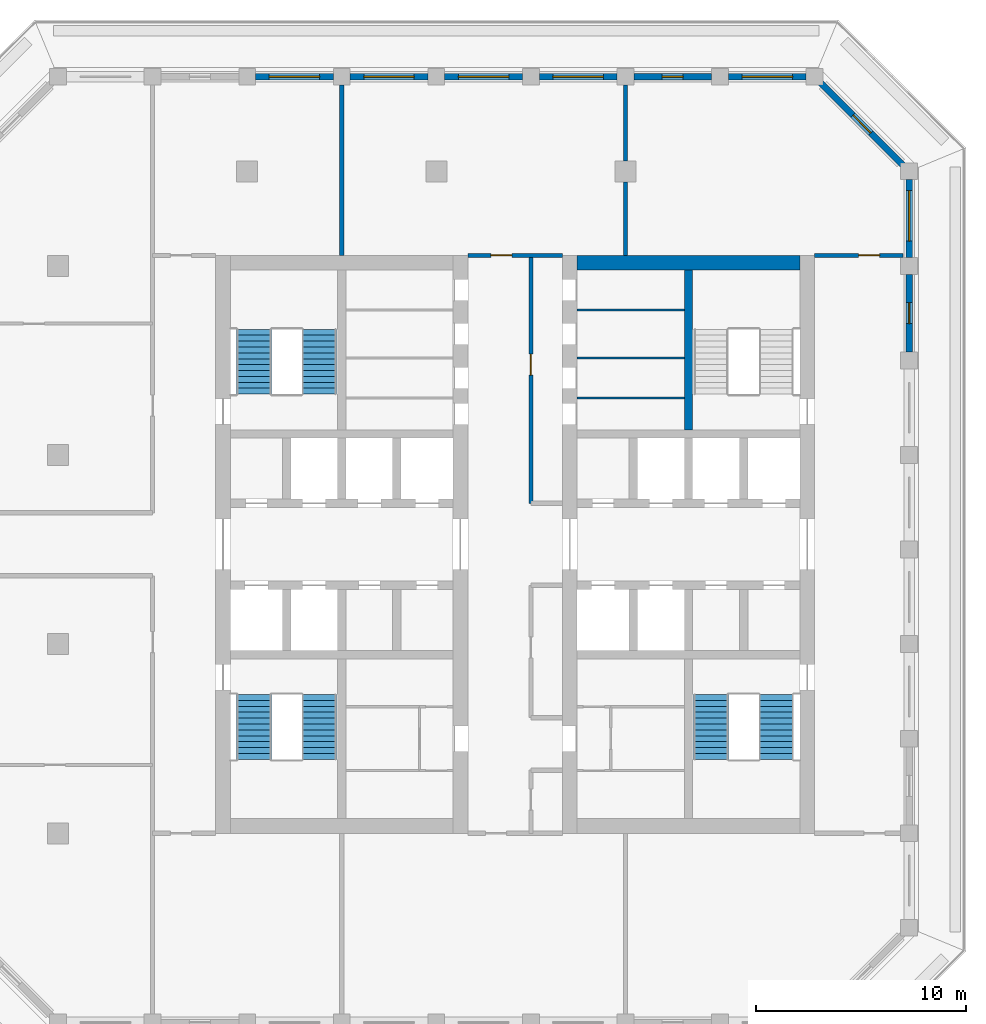
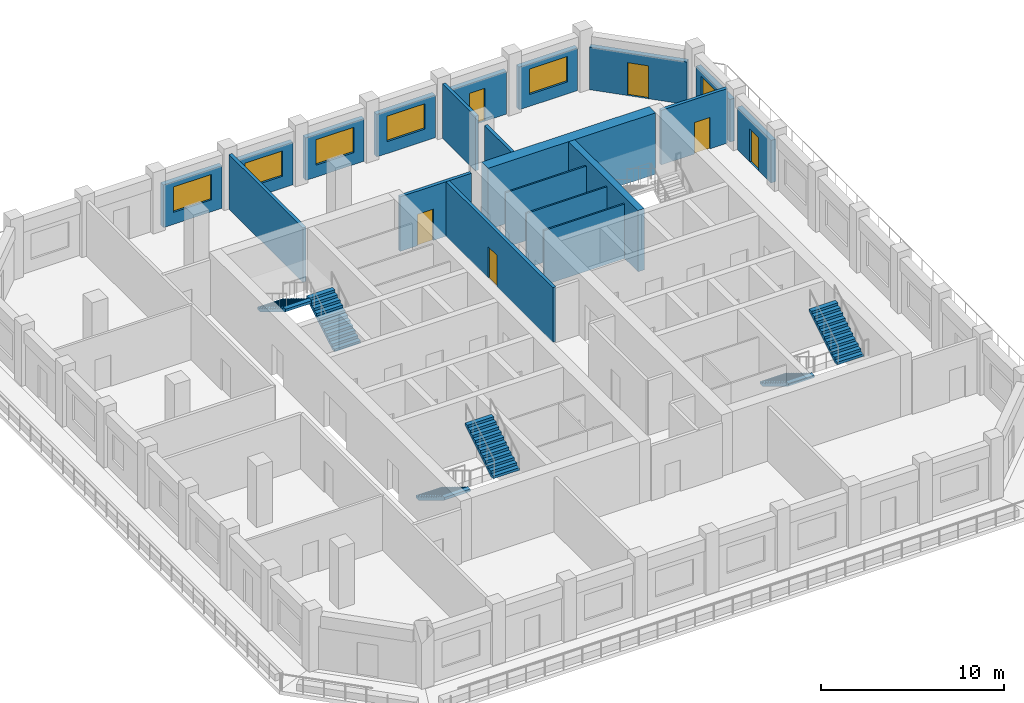
# One storey, part 6 of 14: 20 walls, 6 doors, 6 stair flights, 6 windows, 12 openings, 3 elements without a shape of their own.
"""IFC4 building model written with IfcOpenShell, lengths in metres."""

import ifcopenshell
import ifcopenshell.guid

model = None  # the IFC model being written
_history = None  # IfcOwnerHistory: only IFC2X3 demands one
_inside = {}  # id of a spatial element -> (the spatial element, [elements in it])
_under = {}  # id of a project, library or spatial element -> (it, [spatial elements below it])
_declared = {}  # id of a project -> (the project, [libraries it declares])
_typed = {}  # id of a type object -> (the type object, [elements of that type])
_made_of = {}  # id of a material, layer set ... -> (it, [elements and type objects made of it])


def new_model(schema):
    """Start an empty IFC model of exactly this schema.

    Asked for "IFC4X3", IfcOpenShell would pick the latest addendum, in which some entities
    have other attributes; the version numbers below select the first issue.
    IFC2X3 requires an IfcOwnerHistory on every rooted entity: one is made here for all.
    """
    global model, _history
    if schema == "IFC4X3":
        model = ifcopenshell.file(schema_version=(4, 3, 0, 0))
    else:
        model = ifcopenshell.file(schema=schema)
    _inside.clear()
    _under.clear()
    _declared.clear()
    _typed.clear()
    _made_of.clear()
    _history = None
    if model.schema == "IFC2X3":
        org = make("IfcOrganization", Name="unknown")
        user = make(
            "IfcPersonAndOrganization",
            ThePerson=make("IfcPerson", FamilyName="unknown"),
            TheOrganization=org,
        )
        app = make(
            "IfcApplication",
            ApplicationDeveloper=org,
            Version="unknown",
            ApplicationFullName="unknown",
            ApplicationIdentifier="unknown",
        )
        _history = make(
            "IfcOwnerHistory",
            OwningUser=user,
            OwningApplication=app,
            ChangeAction="ADDED",
            CreationDate=0,
        )
    return model


def make(cls, **values):
    """One entity of the class cls with the attributes given. An attribute that is None is left unset."""
    return model.create_entity(
        cls, **{name: value for name, value in values.items() if value is not None}
    )


def rooted(cls, **values):
    """An entity with a GlobalId (a new one), such as an element, a storey or a relation."""
    return make(cls, GlobalId=ifcopenshell.guid.new(), OwnerHistory=_history, **values)


def si_unit(unit_type, name, prefix=None):
    """IfcSIUnit, for example si_unit("LENGTHUNIT", "METRE", prefix="MILLI")."""
    return make("IfcSIUnit", UnitType=unit_type, Prefix=prefix, Name=name)


def assignment(units):
    """IfcUnitAssignment: the units of a project."""
    return None if units is None else make("IfcUnitAssignment", Units=units)


def point(xyz):
    """IfcCartesianPoint."""
    return None if xyz is None else make("IfcCartesianPoint", Coordinates=xyz)


def direction(xyz):
    """IfcDirection."""
    return None if xyz is None else make("IfcDirection", DirectionRatios=xyz)


def frame(location, z_axis=None, x_axis=None):
    """IfcAxis2Placement3D, a coordinate frame: its origin and axes. An axis left out is left unset."""
    return make(
        "IfcAxis2Placement3D",
        Location=point(location),
        Axis=direction(z_axis),
        RefDirection=direction(x_axis),
    )


def frame_2d(location, x_axis=None):
    """IfcAxis2Placement2D, a coordinate frame in the plane: its origin and x axis."""
    return make(
        "IfcAxis2Placement2D", Location=point(location), RefDirection=direction(x_axis)
    )


def origin():
    """The frame at (0, 0, 0) with its axes left unset."""
    return frame((0.0, 0.0, 0.0))


def place(relative_to, where):
    """IfcLocalPlacement: puts the frame where relative to a parent placement (None: the world)."""
    return make(
        "IfcLocalPlacement", PlacementRelTo=relative_to, RelativePlacement=where
    )


def context(
    kind, dimensions, precision=None, world=None, true_north=None, identifier=None
):
    """IfcGeometricRepresentationContext, for example the 3D "Model" context."""
    return make(
        "IfcGeometricRepresentationContext",
        ContextIdentifier=identifier,
        ContextType=kind,
        CoordinateSpaceDimension=dimensions,
        Precision=precision,
        WorldCoordinateSystem=world,
        TrueNorth=true_north,
    )


def subcontext(parent, identifier, kind, view, scale=None):
    """IfcGeometricRepresentationSubContext, for example "Body" below "Model"."""
    return make(
        "IfcGeometricRepresentationSubContext",
        ContextIdentifier=identifier,
        ContextType=kind,
        ParentContext=parent,
        TargetScale=scale,
        TargetView=view,
    )


def project(units=None, contexts=None):
    """IfcProject with its units and contexts."""
    return rooted(
        "IfcProject",
        Name="project",
        RepresentationContexts=contexts,
        UnitsInContext=assignment(units),
    )


def spatial(cls, under=None, at=None, **own):
    """A site, building, storey or space (cls), placed at a placement, below another one or the project."""
    s = rooted(cls, ObjectPlacement=at, **own)
    if under is not None:
        _under.setdefault(under.id(), (under, []))[1].append(s)
    return s


def polyline(points):
    """IfcPolyline through the points."""
    return make("IfcPolyline", Points=[point(p) for p in points])


def profile(cls, at=None, kind="AREA", **sizes):
    """A parametric profile (cls). Its sizes go by their IFC names, for example OverallWidth=200.0."""
    return make(cls, ProfileType=kind, Position=at, **sizes)


def rectangle(**sizes):
    """IfcRectangleProfileDef."""
    return profile("IfcRectangleProfileDef", **sizes)


def outline(outer, holes=None, kind="AREA"):
    """IfcArbitraryClosedProfileDef: a profile drawn as a closed curve; with holes, ...WithVoids."""
    if holes is None:
        return make("IfcArbitraryClosedProfileDef", ProfileType=kind, OuterCurve=outer)
    return make(
        "IfcArbitraryProfileDefWithVoids",
        ProfileType=kind,
        OuterCurve=outer,
        InnerCurves=holes,
    )


def extrude(swept, where, along, depth):
    """IfcExtrudedAreaSolid: the profile swept, set in the frame where, extruded along a direction by depth."""
    return make(
        "IfcExtrudedAreaSolid",
        SweptArea=swept,
        Position=where,
        ExtrudedDirection=direction(along),
        Depth=depth,
    )


def shape(context_of_items, identifier, shape_type, items):
    """IfcShapeRepresentation: the items that make up one representation, for example the "Body"."""
    return make(
        "IfcShapeRepresentation",
        ContextOfItems=context_of_items,
        RepresentationIdentifier=identifier,
        RepresentationType=shape_type,
        Items=items,
    )


def material(Name=None, Category=None):
    """IfcMaterial."""
    return make("IfcMaterial", Name=Name, Category=Category)


def layer(
    of_material, thickness, ventilated=None, Name=None, Category=None, Priority=None
):
    """IfcMaterialLayer: one layer of a wall or slab, of a material (None: an air gap)."""
    return make(
        "IfcMaterialLayer",
        Material=of_material,
        LayerThickness=thickness,
        IsVentilated=ventilated,
        Name=Name,
        Category=Category,
        Priority=Priority,
    )


def layer_set(layers, Name=None):
    """IfcMaterialLayerSet."""
    return make("IfcMaterialLayerSet", MaterialLayers=layers, LayerSetName=Name)


def made_of(thing, what):
    """Note that an element or type object is made of a material, layer set ...; save() writes the relation."""
    if what is not None:
        _made_of.setdefault(what.id(), (what, []))[1].append(thing)
    return thing


def type_object(cls, material=None, **own):
    """A type object (cls), such as IfcWallType, which elements share."""
    return made_of(rooted(cls, **own), material)


def element(
    cls,
    number,
    at=None,
    inside=None,
    cuts=None,
    type_object=None,
    material=None,
    context=None,
    identifier="Body",
    shape_type=None,
    held_by="IfcProductDefinitionShape",
    body=None,
    shapes=None,
    **own,
):
    """One element of the class cls, such as IfcWall. Its Tag is "e" and its number.

    at: its placement. inside: the storey or other place that contains it. cuts: it is an
    opening in that element (IfcRelVoidsElement). A single representation is given by context,
    identifier, shape_type and body (its items); several are given by shapes. held_by: the class
    of the entity that holds the representations. save() writes the other relations.
    """
    e = rooted(cls, Tag="e%d" % number, ObjectPlacement=at, **own)
    if body is not None:
        shapes = [shape(context, identifier, shape_type, body)]
    if shapes is not None:
        e.Representation = make(held_by, Representations=shapes)
    if inside is not None:
        _inside.setdefault(inside.id(), (inside, []))[1].append(e)
    if cuts is not None:
        rooted(
            "IfcRelVoidsElement", RelatingBuildingElement=cuts, RelatedOpeningElement=e
        )
    if type_object is not None:
        _typed.setdefault(type_object.id(), (type_object, []))[1].append(e)
    return made_of(e, material)


def fill(opening, filler):
    """IfcRelFillsElement: the door or window that sits in an opening."""
    return rooted(
        "IfcRelFillsElement",
        RelatingOpeningElement=opening,
        RelatedBuildingElement=filler,
    )


def aggregate(whole, parts):
    """IfcRelAggregates: a whole, such as a stair, and the parts it consists of."""
    return rooted("IfcRelAggregates", RelatingObject=whole, RelatedObjects=parts)


def save(model, path):
    """Write the relations noted so far, then the file.

    IfcRelAggregates (storeys below a building ...), IfcRelContainedInSpatialStructure (elements
    in a storey), IfcRelDefinesByType, IfcRelAssociatesMaterial and IfcRelDeclares: one each for
    every whole, place, type object, material and project.
    """
    for whole, parts in _under.values():
        aggregate(whole, parts)
    for where, things in _inside.values():
        rooted(
            "IfcRelContainedInSpatialStructure",
            RelatedElements=things,
            RelatingStructure=where,
        )
    for kind, things in _typed.values():
        rooted("IfcRelDefinesByType", RelatedObjects=things, RelatingType=kind)
    for what, things in _made_of.values():
        rooted("IfcRelAssociatesMaterial", RelatedObjects=things, RelatingMaterial=what)
    for by, libraries in _declared.values():
        rooted("IfcRelDeclares", RelatingContext=by, RelatedDefinitions=libraries)
    model.write(path)


model = new_model("IFC4")

# Units and contexts
model_context = context("Model", 3, precision=1e-05, world=origin(), true_north=direction((0.0, 1.0)))
body_context = subcontext(model_context, "Body", "Model", "MODEL_VIEW")
ifc_project = project(units=[si_unit("LENGTHUNIT", "METRE"), si_unit("AREAUNIT", "SQUARE_METRE"), si_unit("VOLUMEUNIT", "CUBIC_METRE"), si_unit("PLANEANGLEUNIT", "RADIAN"), si_unit("MASSUNIT", "GRAM", prefix="KILO")], contexts=[model_context])

# Site, building, storey
site_placement = place(None, origin())
site = spatial("IfcSite", under=ifc_project, at=site_placement, CompositionType="ELEMENT")
building_placement = place(site_placement, origin())
building = spatial("IfcBuilding", under=site, at=building_placement, Name="Corbel Stack Research Tower", CompositionType="ELEMENT")
storey_placement = place(building_placement, frame((0.0, 0.0, 278.60009765625)))
storey = spatial("IfcBuildingStorey", under=building, at=storey_placement, Name="L63", CompositionType="ELEMENT", Elevation=278.60009765625)

# Walls
ifc_material_1 = material(Name="Concrete C60/75", Category="concrete")
ifc_layer_1 = layer(ifc_material_1, 0.39990234375)
ifc_layer_set_1 = layer_set([ifc_layer_1], Name="Concrete C60/75")
wall_type_1 = type_object("IfcWallType", Name="CW-400-60", PredefinedType="SHEAR", material=ifc_layer_set_1)
wall_1_placement = place(storey_placement, frame((12.0, 10.199951171875, 0.0), z_axis=(0.0, 0.0, 1.0), x_axis=(0.0, 1.0, 0.0)))
element("IfcWall", 1, at=wall_1_placement, inside=storey, type_object=wall_type_1, Name="East core wall, north stair and riser L63", PredefinedType="SHEAR", context=body_context, shape_type="SweptSolid", body=[
    extrude(rectangle(XDim=7.60009765625, YDim=0.39990234375, at=frame_2d((3.800048828125, 0.0))), origin(), (0.0, 0.0, 1.0), 4.099853515625),
])
ifc_material_2 = material(Name="Concrete C60/75", Category="concrete")
ifc_layer_2 = layer(ifc_material_2, 0.699951171875)
ifc_layer_set_2 = layer_set([ifc_layer_2], Name="Concrete C60/75")
wall_type_2 = type_object("IfcWallType", Name="CW-700-60", PredefinedType="SHEAR", material=ifc_layer_set_2)
wall_2_placement = place(storey_placement, frame((6.699951171875, 18.14990234375, 0.0), z_axis=(0.0, 0.0, 1.0), x_axis=(1.0, 0.0, 0.0)))
element("IfcWall", 2, at=wall_2_placement, inside=storey, type_object=wall_type_2, Name="East core wall, north end L63", PredefinedType="SHEAR", context=body_context, shape_type="SweptSolid", body=[
    extrude(rectangle(XDim=10.60009765625, YDim=0.699951171875, at=frame_2d((5.300048828125, 0.0))), origin(), (0.0, 0.0, 1.0), 4.099853515625),
])
ifc_material_3 = material(Name="Gypsum board")
ifc_layer_3 = layer(ifc_material_3, 0.10009765625)
ifc_layer_set_3 = layer_set([ifc_layer_3], Name="Gypsum board")
wall_type_3 = type_object("IfcWallType", Name="Core partition 100", PredefinedType="PARTITIONING", material=ifc_layer_set_3)
for number, where, z_axis, x_axis, name in (
    (3, (6.699951171875, 11.719970703125, 0.0), (0.0, 0.0, 1.0), (1.0, 0.0, 0.0), "Core partition E"),
    (4, (6.699951171875, 13.6201171875, 0.0), (0.0, 0.0, 1.0), (1.0, 0.0, 0.0), "Core partition E"),
    (5, (6.699951171875, 15.89990234375, 0.0), (0.0, 0.0, 1.0), (1.0, 0.0, 0.0), "Core partition E"),
):
    element("IfcWall", number, at=place(storey_placement, frame(where, z_axis=z_axis, x_axis=x_axis)), inside=storey, type_object=wall_type_3, Name=name, PredefinedType="PARTITIONING", context=body_context, shape_type="SweptSolid", body=[
        extrude(rectangle(XDim=5.10009765625, YDim=0.10009765625, at=frame_2d((2.550048828125, 0.0))), origin(), (0.0, 0.0, 1.0), 3.64990234375),
    ])
ifc_material_4 = material(Name="Fire-rated gypsum board partition on steel studs", Category="steel")
ifc_layer_4 = layer(ifc_material_4, 0.199951171875)
ifc_layer_set_4 = layer_set([ifc_layer_4], Name="Fire-rated gypsum board partition on steel studs")
wall_type_4 = type_object("IfcWallType", Name="Fire-rated partition 200 EI 60", PredefinedType="PARTITIONING", material=ifc_layer_set_4)
wall_3_placement = place(storey_placement, frame((-4.5, 18.5, 0.0), z_axis=(0.0, 0.0, 1.0), x_axis=(0.0, 1.0, 0.0)))
element("IfcWall", 6, at=wall_3_placement, inside=storey, type_object=wall_type_4, Name="Partition L63-004", PredefinedType="PARTITIONING", context=body_context, shape_type="SweptSolid", body=[
    extrude(rectangle(XDim=8.10009765625, YDim=0.199951171875, at=frame_2d((4.050048828125, 0.0))), origin(), (0.0, 0.0, 1.0), 3.64990234375),
])

# Wall, opening, door
wall_4_placement = place(storey_placement, frame((4.5, 18.5, 0.0), z_axis=(0.0, 0.0, 1.0), x_axis=(0.0, -1.0, 0.0)))
wall_4 = element("IfcWall", 7, at=wall_4_placement, inside=storey, type_object=wall_type_4, Name="Partition L63-007", PredefinedType="PARTITIONING", context=body_context, shape_type="SweptSolid", body=[
    extrude(rectangle(XDim=11.800048828125, YDim=0.199951171875, at=frame_2d((5.89990234375, 0.0))), origin(), (0.0, 0.0, 1.0), 3.64990234375),
])
opening_1_placement = place(wall_4_placement, frame((4.699951171875, 0.0, 0.0)))
opening_1 = element("IfcOpeningElement", 8, at=opening_1_placement, cuts=wall_4, Name="Opening B8V1-009", PredefinedType="OPENING", context=body_context, shape_type="SweptSolid", body=[
    extrude(rectangle(XDim=1.0, YDim=2.10009765625, at=frame_2d((0.5, 1.050048828125))), frame((0.0, 0.10986328125, 0.0), z_axis=(0.0, -1.0, 0.0), x_axis=(1.0, 0.0, 0.0)), (0.0, 0.0, 1.0), 0.219970703125),
])
ifc_material_5 = material(Name="Painted steel fire door", Category="steel")
door_type_1 = type_object("IfcDoorType", Name="Fire door FD30S 1000 x 2100", OperationType="NOTDEFINED", PredefinedType="DOOR", material=ifc_material_5)
door_1_placement = place(opening_1_placement, origin())
door_1 = element("IfcDoor", 9, at=door_1_placement, inside=storey, type_object=door_type_1, Name="Door B8V1-009", OperationType="SINGLE_SWING_LEFT", OverallHeight=2.10009765625, OverallWidth=1.0, PredefinedType="DOOR", context=body_context, shape_type="SweptSolid", body=[
    extrude(rectangle(XDim=1.0, YDim=2.10009765625, at=frame_2d((0.5, 1.050048828125))), frame((0.0, 0.02490234375, 0.0), z_axis=(0.0, -1.0, 0.0), x_axis=(1.0, 0.0, 0.0)), (0.0, 0.0, 1.0), 0.050048828125),
])
fill(opening_1, door_1)

# Walls
wall_5_placement = place(storey_placement, frame((9.0, 18.5, 0.0), z_axis=(0.0, 0.0, 1.0), x_axis=(0.0, 1.0, 0.0)))
element("IfcWall", 10, at=wall_5_placement, inside=storey, type_object=wall_type_4, Name="Partition L63-009", PredefinedType="PARTITIONING", context=body_context, shape_type="SweptSolid", body=[
    extrude(rectangle(XDim=3.5, YDim=0.199951171875, at=frame_2d((1.75, 0.0))), origin(), (0.0, 0.0, 1.0), 3.64990234375),
])
wall_6_placement = place(storey_placement, frame((9.0, 23.0, 0.0), z_axis=(0.0, 0.0, 1.0), x_axis=(0.0, 1.0, 0.0)))
element("IfcWall", 11, at=wall_6_placement, inside=storey, type_object=wall_type_4, Name="Partition L63-010", PredefinedType="PARTITIONING", context=body_context, shape_type="SweptSolid", body=[
    extrude(rectangle(XDim=3.60009765625, YDim=0.199951171875, at=frame_2d((1.800048828125, 0.0))), origin(), (0.0, 0.0, 1.0), 3.64990234375),
])

# Wall, opening, door
wall_7_placement = place(storey_placement, frame((1.5, 18.5, 0.0), z_axis=(0.0, 0.0, 1.0), x_axis=(1.0, 0.0, 0.0)))
wall_7 = element("IfcWall", 12, at=wall_7_placement, inside=storey, type_object=wall_type_4, Name="Partition L63-023", PredefinedType="PARTITIONING", context=body_context, shape_type="SweptSolid", body=[
    extrude(rectangle(XDim=4.5, YDim=0.199951171875, at=frame_2d((2.25, 0.0))), origin(), (0.0, 0.0, 1.0), 3.64990234375),
])
opening_2_placement = place(wall_7_placement, frame((1.10009765625, 0.0, 0.0)))
opening_2 = element("IfcOpeningElement", 13, at=opening_2_placement, cuts=wall_7, Name="Opening B8V1-012", PredefinedType="OPENING", context=body_context, shape_type="SweptSolid", body=[
    extrude(rectangle(XDim=1.0, YDim=2.10009765625, at=frame_2d((0.5, 1.050048828125))), frame((0.0, 0.10986328125, 0.0), z_axis=(0.0, -1.0, 0.0), x_axis=(1.0, 0.0, 0.0)), (0.0, 0.0, 1.0), 0.219970703125),
])
door_2_placement = place(opening_2_placement, origin())
door_2 = element("IfcDoor", 14, at=door_2_placement, inside=storey, type_object=door_type_1, Name="Door B8V1-012", OperationType="SINGLE_SWING_LEFT", OverallHeight=2.10009765625, OverallWidth=1.0, PredefinedType="DOOR", context=body_context, shape_type="SweptSolid", body=[
    extrude(rectangle(XDim=1.0, YDim=2.10009765625, at=frame_2d((0.5, 1.050048828125))), frame((0.0, 0.02490234375, 0.0), z_axis=(0.0, -1.0, 0.0), x_axis=(1.0, 0.0, 0.0)), (0.0, 0.0, 1.0), 0.050048828125),
])
fill(opening_2, door_2)

wall_8_placement = place(storey_placement, frame((18.0, 18.5, 0.0), z_axis=(0.0, 0.0, 1.0), x_axis=(1.0, 0.0, 0.0)))
wall_8 = element("IfcWall", 15, at=wall_8_placement, inside=storey, type_object=wall_type_4, Name="Partition L63-024", PredefinedType="PARTITIONING", context=body_context, shape_type="SweptSolid", body=[
    extrude(rectangle(XDim=4.200927734375, YDim=0.199951171875, at=frame_2d((2.1005859375, 0.0))), origin(), (0.0, 0.0, 1.0), 3.64990234375),
])
opening_3_placement = place(wall_8_placement, frame((2.10009765625, 0.0, 0.0)))
opening_3 = element("IfcOpeningElement", 16, at=opening_3_placement, cuts=wall_8, Name="Opening B8V1-013", PredefinedType="OPENING", context=body_context, shape_type="SweptSolid", body=[
    extrude(rectangle(XDim=1.0, YDim=2.10009765625, at=frame_2d((0.5, 1.050048828125))), frame((0.0, 0.10986328125, 0.0), z_axis=(0.0, -1.0, 0.0), x_axis=(1.0, 0.0, 0.0)), (0.0, 0.0, 1.0), 0.219970703125),
])
door_3_placement = place(opening_3_placement, origin())
door_3 = element("IfcDoor", 17, at=door_3_placement, inside=storey, type_object=door_type_1, Name="Door B8V1-013", OperationType="SINGLE_SWING_RIGHT", OverallHeight=2.10009765625, OverallWidth=1.0, PredefinedType="DOOR", context=body_context, shape_type="SweptSolid", body=[
    extrude(rectangle(XDim=1.0, YDim=2.10009765625, at=frame_2d((0.5, 1.050048828125))), frame((0.0, 0.02490234375, 0.0), z_axis=(0.0, -1.0, 0.0), x_axis=(1.0, 0.0, 0.0)), (0.0, 0.0, 1.0), 0.050048828125),
])
fill(opening_3, door_3)

ifc_material_6 = material(Name="Concrete C45/55", Category="concrete")
ifc_layer_5 = layer(ifc_material_6, 0.300048828125)
ifc_layer_set_5 = layer_set([ifc_layer_5], Name="Concrete C45/55")
wall_type_5 = type_object("IfcWallType", Name="Terracotta-faced concrete wall 300", PredefinedType="SOLIDWALL", material=ifc_layer_set_5)
wall_9_placement = place(storey_placement, frame((22.5, 17.60009765625, 0.0), z_axis=(0.0, 0.0, 1.0), x_axis=(0.0, -1.0, 0.0)))
wall_9 = element("IfcWall", 18, at=wall_9_placement, inside=storey, type_object=wall_type_5, Name="Facade wall L63 E07", PredefinedType="SOLIDWALL", context=body_context, shape_type="SweptSolid", body=[
    extrude(rectangle(XDim=3.7001953125, YDim=0.300048828125, at=frame_2d((1.85009765625, 0.0))), origin(), (0.0, 0.0, 1.0), 2.849853515625),
])
opening_4_placement = place(wall_9_placement, frame((1.35009765625, 0.0, 0.0)))
opening_4 = element("IfcOpeningElement", 19, at=opening_4_placement, cuts=wall_9, Name="Opening L63-B05", PredefinedType="OPENING", context=body_context, shape_type="SweptSolid", body=[
    extrude(rectangle(XDim=1.0, YDim=2.199951171875, at=frame_2d((0.5, 1.10009765625))), frame((0.0, 0.159912109375, 0.0), z_axis=(0.0, -1.0, 0.0), x_axis=(1.0, 0.0, 0.0)), (0.0, 0.0, 1.0), 0.320068359375),
])
ifc_material_7 = material(Name="Aluminium frame, clear double glazing", Category="aluminium")
door_type_2 = type_object("IfcDoorType", Name="Balcony door BD1 1000 x 2200", OperationType="NOTDEFINED", PredefinedType="DOOR", material=ifc_material_7)
door_4_placement = place(opening_4_placement, origin())
door_4 = element("IfcDoor", 20, at=door_4_placement, inside=storey, type_object=door_type_2, Name="Balcony door L63-B05", OperationType="SINGLE_SWING_RIGHT", OverallHeight=2.199951171875, OverallWidth=1.0, PredefinedType="DOOR", context=body_context, shape_type="SweptSolid", body=[
    extrude(rectangle(XDim=1.0, YDim=2.199951171875, at=frame_2d((0.5, 1.10009765625))), frame((0.0, 0.02490234375, 0.0), z_axis=(0.0, -1.0, 0.0), x_axis=(1.0, 0.0, 0.0)), (0.0, 0.0, 1.0), 0.050048828125),
])
fill(opening_4, door_4)

# Wall, opening, window
wall_10_placement = place(storey_placement, frame((22.5, 22.10009765625, 0.0), z_axis=(0.0, 0.0, 1.0), x_axis=(0.0, -1.0, 0.0)))
wall_10 = element("IfcWall", 21, at=wall_10_placement, inside=storey, type_object=wall_type_5, Name="Facade wall L63 E08", PredefinedType="SOLIDWALL", context=body_context, shape_type="SweptSolid", body=[
    extrude(rectangle(XDim=3.7001953125, YDim=0.300048828125, at=frame_2d((1.85009765625, 0.0))), origin(), (0.0, 0.0, 1.0), 2.849853515625),
])
opening_5_placement = place(wall_10_placement, frame((0.52490234375, 0.0, 0.800048828125)))
opening_5 = element("IfcOpeningElement", 22, at=opening_5_placement, cuts=wall_10, Name="Opening W1", PredefinedType="OPENING", context=body_context, shape_type="SweptSolid", body=[
    extrude(rectangle(XDim=2.39990234375, YDim=1.699951171875, at=frame_2d((1.199951171875, 0.85009765625))), frame((0.0, 0.159912109375, 0.0), z_axis=(0.0, -1.0, 0.0), x_axis=(1.0, 0.0, 0.0)), (0.0, 0.0, 1.0), 0.320068359375),
])
ifc_material_8 = material(Name="Aluminium frame, clear double glazing", Category="aluminium")
window_type = type_object("IfcWindowType", Name="Window W1 2400 x 1700", PartitioningType="SINGLE_PANEL", PredefinedType="WINDOW", material=ifc_material_8)
window_1_placement = place(opening_5_placement, origin())
window_1 = element("IfcWindow", 23, at=window_1_placement, inside=storey, type_object=window_type, Name="Window W1 L63 E08", OverallHeight=1.699951171875, OverallWidth=2.39990234375, PartitioningType="SINGLE_PANEL", PredefinedType="WINDOW", context=body_context, shape_type="SweptSolid", body=[
    extrude(rectangle(XDim=2.39990234375, YDim=1.699951171875, at=frame_2d((1.199951171875, 0.85009765625))), frame((0.0, 0.030029296875, 0.0), z_axis=(0.0, -1.0, 0.0), x_axis=(1.0, 0.0, 0.0)), (0.0, 0.0, 1.0), 0.06005859375),
])
fill(opening_5, window_1)

# Wall, opening, door
wall_11_placement = place(storey_placement, frame((18.2939453125, 26.7060546875, 0.0), z_axis=(0.0, 0.0, 1.0), x_axis=(0.707106781187, -0.707106781187, 0.0)))
wall_11 = element("IfcWall", 24, at=wall_11_placement, inside=storey, type_object=wall_type_5, Name="Facade wall L63 NE01", PredefinedType="SOLIDWALL", context=body_context, shape_type="SweptSolid", body=[
    extrude(rectangle(XDim=5.532470703125, YDim=0.300048828125, at=frame_2d((2.76611328125, 0.0))), origin(), (0.0, 0.0, 1.0), 2.849853515625),
])
opening_6_placement = place(wall_11_placement, frame((2.166259765625, 0.0, 0.0)))
opening_6 = element("IfcOpeningElement", 25, at=opening_6_placement, cuts=wall_11, Name="Opening L63-B06", PredefinedType="OPENING", context=body_context, shape_type="SweptSolid", body=[
    extrude(rectangle(XDim=1.199951171875, YDim=2.199951171875, at=frame_2d((0.60009765625, 1.10009765625))), frame((0.0, 0.159912109375, 0.0), z_axis=(0.0, -1.0, 0.0), x_axis=(1.0, 0.0, 0.0)), (0.0, 0.0, 1.0), 0.320068359375),
])
ifc_material_9 = material(Name="Aluminium frame, clear double glazing", Category="aluminium")
door_type_3 = type_object("IfcDoorType", Name="Balcony door BD2 1200 x 2200", OperationType="NOTDEFINED", PredefinedType="DOOR", material=ifc_material_9)
door_5_placement = place(opening_6_placement, origin())
door_5 = element("IfcDoor", 26, at=door_5_placement, inside=storey, type_object=door_type_3, Name="Balcony door L63-B06", OperationType="SINGLE_SWING_RIGHT", OverallHeight=2.199951171875, OverallWidth=1.199951171875, PredefinedType="DOOR", context=body_context, shape_type="SweptSolid", body=[
    extrude(rectangle(XDim=1.199951171875, YDim=2.199951171875, at=frame_2d((0.60009765625, 1.10009765625))), frame((0.0, 0.02490234375, 0.0), z_axis=(0.0, -1.0, 0.0), x_axis=(1.0, 0.0, 0.0)), (0.0, 0.0, 1.0), 0.050048828125),
])
fill(opening_6, door_5)

# Wall, opening, window
wall_12_placement = place(storey_placement, frame((13.89990234375, 27.0, 0.0), z_axis=(0.0, 0.0, 1.0), x_axis=(1.0, 0.0, 0.0)))
wall_12 = element("IfcWall", 27, at=wall_12_placement, inside=storey, type_object=wall_type_5, Name="Facade wall L63 N01", PredefinedType="SOLIDWALL", context=body_context, shape_type="SweptSolid", body=[
    extrude(rectangle(XDim=3.7001953125, YDim=0.300048828125, at=frame_2d((1.85009765625, 0.0))), origin(), (0.0, 0.0, 1.0), 2.849853515625),
])
opening_7_placement = place(wall_12_placement, frame((0.64990234375, 0.0, 0.800048828125)))
opening_7 = element("IfcOpeningElement", 28, at=opening_7_placement, cuts=wall_12, Name="Opening W1", PredefinedType="OPENING", context=body_context, shape_type="SweptSolid", body=[
    extrude(rectangle(XDim=2.39990234375, YDim=1.699951171875, at=frame_2d((1.199951171875, 0.85009765625))), frame((0.0, 0.159912109375, 0.0), z_axis=(0.0, -1.0, 0.0), x_axis=(1.0, 0.0, 0.0)), (0.0, 0.0, 1.0), 0.320068359375),
])
window_2_placement = place(opening_7_placement, origin())
window_2 = element("IfcWindow", 29, at=window_2_placement, inside=storey, type_object=window_type, Name="Window W1 L63 N01", OverallHeight=1.699951171875, OverallWidth=2.39990234375, PartitioningType="SINGLE_PANEL", PredefinedType="WINDOW", context=body_context, shape_type="SweptSolid", body=[
    extrude(rectangle(XDim=2.39990234375, YDim=1.699951171875, at=frame_2d((1.199951171875, 0.85009765625))), frame((0.0, 0.030029296875, 0.0), z_axis=(0.0, -1.0, 0.0), x_axis=(1.0, 0.0, 0.0)), (0.0, 0.0, 1.0), 0.06005859375),
])
fill(opening_7, window_2)

# Wall, opening, door
wall_13_placement = place(storey_placement, frame((9.39990234375, 27.0, 0.0), z_axis=(0.0, 0.0, 1.0), x_axis=(1.0, 0.0, 0.0)))
wall_13 = element("IfcWall", 30, at=wall_13_placement, inside=storey, type_object=wall_type_5, Name="Facade wall L63 N02", PredefinedType="SOLIDWALL", context=body_context, shape_type="SweptSolid", body=[
    extrude(rectangle(XDim=3.7001953125, YDim=0.300048828125, at=frame_2d((1.85009765625, 0.0))), origin(), (0.0, 0.0, 1.0), 2.849853515625),
])
opening_8_placement = place(wall_13_placement, frame((1.35009765625, 0.0, 0.0)))
opening_8 = element("IfcOpeningElement", 31, at=opening_8_placement, cuts=wall_13, Name="Opening L63-B07", PredefinedType="OPENING", context=body_context, shape_type="SweptSolid", body=[
    extrude(rectangle(XDim=1.0, YDim=2.199951171875, at=frame_2d((0.5, 1.10009765625))), frame((0.0, 0.159912109375, 0.0), z_axis=(0.0, -1.0, 0.0), x_axis=(1.0, 0.0, 0.0)), (0.0, 0.0, 1.0), 0.320068359375),
])
door_6_placement = place(opening_8_placement, origin())
door_6 = element("IfcDoor", 32, at=door_6_placement, inside=storey, type_object=door_type_2, Name="Balcony door L63-B07", OperationType="SINGLE_SWING_LEFT", OverallHeight=2.199951171875, OverallWidth=1.0, PredefinedType="DOOR", context=body_context, shape_type="SweptSolid", body=[
    extrude(rectangle(XDim=1.0, YDim=2.199951171875, at=frame_2d((0.5, 1.10009765625))), frame((0.0, 0.02490234375, 0.0), z_axis=(0.0, -1.0, 0.0), x_axis=(1.0, 0.0, 0.0)), (0.0, 0.0, 1.0), 0.050048828125),
])
fill(opening_8, door_6)

# Wall, opening, window
wall_14_placement = place(storey_placement, frame((4.89990234375, 27.0, 0.0), z_axis=(0.0, 0.0, 1.0), x_axis=(1.0, 0.0, 0.0)))
wall_14 = element("IfcWall", 33, at=wall_14_placement, inside=storey, type_object=wall_type_5, Name="Facade wall L63 N03", PredefinedType="SOLIDWALL", context=body_context, shape_type="SweptSolid", body=[
    extrude(rectangle(XDim=3.7001953125, YDim=0.300048828125, at=frame_2d((1.85009765625, 0.0))), origin(), (0.0, 0.0, 1.0), 2.849853515625),
])
opening_9_placement = place(wall_14_placement, frame((0.64990234375, 0.0, 0.800048828125)))
opening_9 = element("IfcOpeningElement", 34, at=opening_9_placement, cuts=wall_14, Name="Opening W1", PredefinedType="OPENING", context=body_context, shape_type="SweptSolid", body=[
    extrude(rectangle(XDim=2.39990234375, YDim=1.699951171875, at=frame_2d((1.199951171875, 0.85009765625))), frame((0.0, 0.159912109375, 0.0), z_axis=(0.0, -1.0, 0.0), x_axis=(1.0, 0.0, 0.0)), (0.0, 0.0, 1.0), 0.320068359375),
])
window_3_placement = place(opening_9_placement, origin())
window_3 = element("IfcWindow", 35, at=window_3_placement, inside=storey, type_object=window_type, Name="Window W1 L63 N03", OverallHeight=1.699951171875, OverallWidth=2.39990234375, PartitioningType="SINGLE_PANEL", PredefinedType="WINDOW", context=body_context, shape_type="SweptSolid", body=[
    extrude(rectangle(XDim=2.39990234375, YDim=1.699951171875, at=frame_2d((1.199951171875, 0.85009765625))), frame((0.0, 0.030029296875, 0.0), z_axis=(0.0, -1.0, 0.0), x_axis=(1.0, 0.0, 0.0)), (0.0, 0.0, 1.0), 0.06005859375),
])
fill(opening_9, window_3)

wall_15_placement = place(storey_placement, frame((0.39990234375, 27.0, 0.0), z_axis=(0.0, 0.0, 1.0), x_axis=(1.0, 0.0, 0.0)))
wall_15 = element("IfcWall", 36, at=wall_15_placement, inside=storey, type_object=wall_type_5, Name="Facade wall L63 N04", PredefinedType="SOLIDWALL", context=body_context, shape_type="SweptSolid", body=[
    extrude(rectangle(XDim=3.7001953125, YDim=0.300048828125, at=frame_2d((1.85009765625, 0.0))), origin(), (0.0, 0.0, 1.0), 2.849853515625),
])
opening_10_placement = place(wall_15_placement, frame((0.64990234375, 0.0, 0.800048828125)))
opening_10 = element("IfcOpeningElement", 37, at=opening_10_placement, cuts=wall_15, Name="Opening W1", PredefinedType="OPENING", context=body_context, shape_type="SweptSolid", body=[
    extrude(rectangle(XDim=2.39990234375, YDim=1.699951171875, at=frame_2d((1.199951171875, 0.85009765625))), frame((0.0, 0.159912109375, 0.0), z_axis=(0.0, -1.0, 0.0), x_axis=(1.0, 0.0, 0.0)), (0.0, 0.0, 1.0), 0.320068359375),
])
window_4_placement = place(opening_10_placement, origin())
window_4 = element("IfcWindow", 38, at=window_4_placement, inside=storey, type_object=window_type, Name="Window W1 L63 N04", OverallHeight=1.699951171875, OverallWidth=2.39990234375, PartitioningType="SINGLE_PANEL", PredefinedType="WINDOW", context=body_context, shape_type="SweptSolid", body=[
    extrude(rectangle(XDim=2.39990234375, YDim=1.699951171875, at=frame_2d((1.199951171875, 0.85009765625))), frame((0.0, 0.030029296875, 0.0), z_axis=(0.0, -1.0, 0.0), x_axis=(1.0, 0.0, 0.0)), (0.0, 0.0, 1.0), 0.06005859375),
])
fill(opening_10, window_4)

wall_16_placement = place(storey_placement, frame((-4.10009765625, 27.0, 0.0), z_axis=(0.0, 0.0, 1.0), x_axis=(1.0, 0.0, 0.0)))
wall_16 = element("IfcWall", 39, at=wall_16_placement, inside=storey, type_object=wall_type_5, Name="Facade wall L63 N05", PredefinedType="SOLIDWALL", context=body_context, shape_type="SweptSolid", body=[
    extrude(rectangle(XDim=3.7001953125, YDim=0.300048828125, at=frame_2d((1.85009765625, 0.0))), origin(), (0.0, 0.0, 1.0), 2.849853515625),
])
opening_11_placement = place(wall_16_placement, frame((0.64990234375, 0.0, 0.800048828125)))
opening_11 = element("IfcOpeningElement", 40, at=opening_11_placement, cuts=wall_16, Name="Opening W1", PredefinedType="OPENING", context=body_context, shape_type="SweptSolid", body=[
    extrude(rectangle(XDim=2.39990234375, YDim=1.699951171875, at=frame_2d((1.199951171875, 0.85009765625))), frame((0.0, 0.159912109375, 0.0), z_axis=(0.0, -1.0, 0.0), x_axis=(1.0, 0.0, 0.0)), (0.0, 0.0, 1.0), 0.320068359375),
])
window_5_placement = place(opening_11_placement, origin())
window_5 = element("IfcWindow", 41, at=window_5_placement, inside=storey, type_object=window_type, Name="Window W1 L63 N05", OverallHeight=1.699951171875, OverallWidth=2.39990234375, PartitioningType="SINGLE_PANEL", PredefinedType="WINDOW", context=body_context, shape_type="SweptSolid", body=[
    extrude(rectangle(XDim=2.39990234375, YDim=1.699951171875, at=frame_2d((1.199951171875, 0.85009765625))), frame((0.0, 0.030029296875, 0.0), z_axis=(0.0, -1.0, 0.0), x_axis=(1.0, 0.0, 0.0)), (0.0, 0.0, 1.0), 0.06005859375),
])
fill(opening_11, window_5)

wall_17_placement = place(storey_placement, frame((-8.60009765625, 27.0, 0.0), z_axis=(0.0, 0.0, 1.0), x_axis=(1.0, 0.0, 0.0)))
wall_17 = element("IfcWall", 42, at=wall_17_placement, inside=storey, type_object=wall_type_5, Name="Facade wall L63 N06", PredefinedType="SOLIDWALL", context=body_context, shape_type="SweptSolid", body=[
    extrude(rectangle(XDim=3.7001953125, YDim=0.300048828125, at=frame_2d((1.85009765625, 0.0))), origin(), (0.0, 0.0, 1.0), 2.849853515625),
])
opening_12_placement = place(wall_17_placement, frame((0.64990234375, 0.0, 0.800048828125)))
opening_12 = element("IfcOpeningElement", 43, at=opening_12_placement, cuts=wall_17, Name="Opening W1", PredefinedType="OPENING", context=body_context, shape_type="SweptSolid", body=[
    extrude(rectangle(XDim=2.39990234375, YDim=1.699951171875, at=frame_2d((1.199951171875, 0.85009765625))), frame((0.0, 0.159912109375, 0.0), z_axis=(0.0, -1.0, 0.0), x_axis=(1.0, 0.0, 0.0)), (0.0, 0.0, 1.0), 0.320068359375),
])
window_6_placement = place(opening_12_placement, origin())
window_6 = element("IfcWindow", 44, at=window_6_placement, inside=storey, type_object=window_type, Name="Window W1 L63 N06", OverallHeight=1.699951171875, OverallWidth=2.39990234375, PartitioningType="SINGLE_PANEL", PredefinedType="WINDOW", context=body_context, shape_type="SweptSolid", body=[
    extrude(rectangle(XDim=2.39990234375, YDim=1.699951171875, at=frame_2d((1.199951171875, 0.85009765625))), frame((0.0, 0.030029296875, 0.0), z_axis=(0.0, -1.0, 0.0), x_axis=(1.0, 0.0, 0.0)), (0.0, 0.0, 1.0), 0.06005859375),
])
fill(opening_12, window_6)

# Stair, stair flights
ifc_material_10 = material(Name="Concrete C40/50", Category="concrete")
stair_type = type_object("IfcStairType", Name="Exit stair 24 risers", PredefinedType="HALF_TURN_STAIR", material=ifc_material_10)
stair_1_placement = place(storey_placement, origin())
stair_1 = element("IfcStair", 45, at=stair_1_placement, inside=storey, type_object=stair_type, Name="L63 Exit stair ST-W1", PredefinedType="HALF_TURN_STAIR")
ifc_material_11 = material(Name="Concrete C40/50", Category="concrete")
stair_flight_type = type_object("IfcStairFlightType", Name="Stair flight 12 risers", PredefinedType="STRAIGHT", material=ifc_material_11)
stair_flight_1_placement = place(storey_placement, frame((-8.675048828125, -2.39990234375, 0.0), z_axis=(0.0, 0.0, 1.0), x_axis=(0.0, -1.0, 0.0)))
stair_flight_1 = element("IfcStairFlight", 46, at=stair_flight_1_placement, type_object=stair_flight_type, Name="ST-W1 flight 1", NumberOfRisers=12, NumberOfTreads=11, PredefinedType="STRAIGHT", RiserHeight=0.170833333, TreadLength=0.28, context=body_context, shape_type="SweptSolid", body=[
    extrude(outline(polyline([(0.0, 0.0), (0.0, 0.1708984375), (0.280029296875, 0.1708984375), (0.280029296875, 0.341552734375), (0.56005859375, 0.341552734375), (0.56005859375, 0.512451171875), (0.840087890625, 0.512451171875), (0.840087890625, 0.683349609375), (1.1201171875, 0.683349609375), (1.1201171875, 0.854248046875), (1.39990234375, 0.854248046875), (1.39990234375, 1.02490234375), (1.679931640625, 1.02490234375), (1.679931640625, 1.19580078125), (1.9599609375, 1.19580078125), (1.9599609375, 1.36669921875), (2.239990234375, 1.36669921875), (2.239990234375, 1.53759765625), (2.52001953125, 1.53759765625), (2.52001953125, 1.708251953125), (2.800048828125, 1.708251953125), (2.800048828125, 1.879150390625), (3.080078125, 1.879150390625), (3.080078125, 2.050048828125), (3.080078125, 1.70361328125), (0.287841796875, 0.0), (0.0, 0.0)])), frame((0.0, 0.824951171875, 0.0), z_axis=(0.0, -1.0, 0.0), x_axis=(1.0, 0.0, 0.0)), (0.0, 0.0, 1.0), 1.64990234375),
])
stair_flight_2_placement = place(storey_placement, frame((-5.574951171875, -5.47998046875, 2.0498046875), z_axis=(0.0, 0.0, 1.0), x_axis=(0.0, 1.0, 0.0)))
stair_flight_2 = element("IfcStairFlight", 47, at=stair_flight_2_placement, type_object=stair_flight_type, Name="ST-W1 flight 2", NumberOfRisers=12, NumberOfTreads=11, PredefinedType="STRAIGHT", RiserHeight=0.170833333, TreadLength=0.28, context=body_context, shape_type="SweptSolid", body=[
    extrude(outline(polyline([(0.0, 0.0), (0.0, 0.1708984375), (0.280029296875, 0.1708984375), (0.280029296875, 0.341552734375), (0.56005859375, 0.341552734375), (0.56005859375, 0.512451171875), (0.840087890625, 0.512451171875), (0.840087890625, 0.683349609375), (1.1201171875, 0.683349609375), (1.1201171875, 0.854248046875), (1.39990234375, 0.854248046875), (1.39990234375, 1.02490234375), (1.679931640625, 1.02490234375), (1.679931640625, 1.19580078125), (1.9599609375, 1.19580078125), (1.9599609375, 1.36669921875), (2.239990234375, 1.36669921875), (2.239990234375, 1.53759765625), (2.52001953125, 1.53759765625), (2.52001953125, 1.708251953125), (2.800048828125, 1.708251953125), (2.800048828125, 1.879150390625), (3.080078125, 1.879150390625), (3.080078125, 2.050048828125), (3.080078125, 1.70361328125), (0.287841796875, 0.0), (0.0, 0.0)])), frame((0.0, 0.824951171875, 0.0), z_axis=(0.0, -1.0, 0.0), x_axis=(1.0, 0.0, 0.0)), (0.0, 0.0, 1.0), 1.64990234375),
])
aggregate(stair_1, [stair_flight_1, stair_flight_2])

stair_2_placement = place(storey_placement, origin())
stair_2 = element("IfcStair", 48, at=stair_2_placement, inside=storey, type_object=stair_type, Name="L63 Exit stair ST-W2", PredefinedType="HALF_TURN_STAIR")
stair_flight_3_placement = place(storey_placement, frame((-5.574951171875, 11.89990234375, 0.0), z_axis=(0.0, 0.0, 1.0), x_axis=(0.0, 1.0, 0.0)))
stair_flight_3 = element("IfcStairFlight", 49, at=stair_flight_3_placement, type_object=stair_flight_type, Name="ST-W2 flight 1", NumberOfRisers=12, NumberOfTreads=11, PredefinedType="STRAIGHT", RiserHeight=0.170833333, TreadLength=0.28, context=body_context, shape_type="SweptSolid", body=[
    extrude(outline(polyline([(0.0, 0.0), (0.0, 0.1708984375), (0.280029296875, 0.1708984375), (0.280029296875, 0.341552734375), (0.56005859375, 0.341552734375), (0.56005859375, 0.512451171875), (0.840087890625, 0.512451171875), (0.840087890625, 0.683349609375), (1.1201171875, 0.683349609375), (1.1201171875, 0.854248046875), (1.39990234375, 0.854248046875), (1.39990234375, 1.02490234375), (1.679931640625, 1.02490234375), (1.679931640625, 1.19580078125), (1.9599609375, 1.19580078125), (1.9599609375, 1.36669921875), (2.239990234375, 1.36669921875), (2.239990234375, 1.53759765625), (2.52001953125, 1.53759765625), (2.52001953125, 1.708251953125), (2.800048828125, 1.708251953125), (2.800048828125, 1.879150390625), (3.080078125, 1.879150390625), (3.080078125, 2.050048828125), (3.080078125, 1.70361328125), (0.287841796875, 0.0), (0.0, 0.0)])), frame((0.0, 0.824951171875, 0.0), z_axis=(0.0, -1.0, 0.0), x_axis=(1.0, 0.0, 0.0)), (0.0, 0.0, 1.0), 1.64990234375),
])
stair_flight_4_placement = place(storey_placement, frame((-8.675048828125, 14.97998046875, 2.0498046875), z_axis=(0.0, 0.0, 1.0), x_axis=(0.0, -1.0, 0.0)))
stair_flight_4 = element("IfcStairFlight", 50, at=stair_flight_4_placement, type_object=stair_flight_type, Name="ST-W2 flight 2", NumberOfRisers=12, NumberOfTreads=11, PredefinedType="STRAIGHT", RiserHeight=0.170833333, TreadLength=0.28, context=body_context, shape_type="SweptSolid", body=[
    extrude(outline(polyline([(0.0, 0.0), (0.0, 0.1708984375), (0.280029296875, 0.1708984375), (0.280029296875, 0.341552734375), (0.56005859375, 0.341552734375), (0.56005859375, 0.512451171875), (0.840087890625, 0.512451171875), (0.840087890625, 0.683349609375), (1.1201171875, 0.683349609375), (1.1201171875, 0.854248046875), (1.39990234375, 0.854248046875), (1.39990234375, 1.02490234375), (1.679931640625, 1.02490234375), (1.679931640625, 1.19580078125), (1.9599609375, 1.19580078125), (1.9599609375, 1.36669921875), (2.239990234375, 1.36669921875), (2.239990234375, 1.53759765625), (2.52001953125, 1.53759765625), (2.52001953125, 1.708251953125), (2.800048828125, 1.708251953125), (2.800048828125, 1.879150390625), (3.080078125, 1.879150390625), (3.080078125, 2.050048828125), (3.080078125, 1.70361328125), (0.287841796875, 0.0), (0.0, 0.0)])), frame((0.0, 0.824951171875, 0.0), z_axis=(0.0, -1.0, 0.0), x_axis=(1.0, 0.0, 0.0)), (0.0, 0.0, 1.0), 1.64990234375),
])
aggregate(stair_2, [stair_flight_3, stair_flight_4])

stair_3_placement = place(storey_placement, origin())
stair_3 = element("IfcStair", 51, at=stair_3_placement, inside=storey, type_object=stair_type, Name="L63 Exit stair ST-E1", PredefinedType="HALF_TURN_STAIR")
stair_flight_5_placement = place(storey_placement, frame((13.074951171875, -2.39990234375, 0.0), z_axis=(0.0, 0.0, 1.0), x_axis=(0.0, -1.0, 0.0)))
stair_flight_5 = element("IfcStairFlight", 52, at=stair_flight_5_placement, type_object=stair_flight_type, Name="ST-E1 flight 1", NumberOfRisers=12, NumberOfTreads=11, PredefinedType="STRAIGHT", RiserHeight=0.170833333, TreadLength=0.28, context=body_context, shape_type="SweptSolid", body=[
    extrude(outline(polyline([(0.0, 0.0), (0.0, 0.1708984375), (0.280029296875, 0.1708984375), (0.280029296875, 0.341552734375), (0.56005859375, 0.341552734375), (0.56005859375, 0.512451171875), (0.840087890625, 0.512451171875), (0.840087890625, 0.683349609375), (1.1201171875, 0.683349609375), (1.1201171875, 0.854248046875), (1.39990234375, 0.854248046875), (1.39990234375, 1.02490234375), (1.679931640625, 1.02490234375), (1.679931640625, 1.19580078125), (1.9599609375, 1.19580078125), (1.9599609375, 1.36669921875), (2.239990234375, 1.36669921875), (2.239990234375, 1.53759765625), (2.52001953125, 1.53759765625), (2.52001953125, 1.708251953125), (2.800048828125, 1.708251953125), (2.800048828125, 1.879150390625), (3.080078125, 1.879150390625), (3.080078125, 2.050048828125), (3.080078125, 1.70361328125), (0.287841796875, 0.0), (0.0, 0.0)])), frame((0.0, 0.824951171875, 0.0), z_axis=(0.0, -1.0, 0.0), x_axis=(1.0, 0.0, 0.0)), (0.0, 0.0, 1.0), 1.64990234375),
])
stair_flight_6_placement = place(storey_placement, frame((16.175048828125, -5.47998046875, 2.0498046875), z_axis=(0.0, 0.0, 1.0), x_axis=(0.0, 1.0, 0.0)))
stair_flight_6 = element("IfcStairFlight", 53, at=stair_flight_6_placement, type_object=stair_flight_type, Name="ST-E1 flight 2", NumberOfRisers=12, NumberOfTreads=11, PredefinedType="STRAIGHT", RiserHeight=0.170833333, TreadLength=0.28, context=body_context, shape_type="SweptSolid", body=[
    extrude(outline(polyline([(0.0, 0.0), (0.0, 0.1708984375), (0.280029296875, 0.1708984375), (0.280029296875, 0.341552734375), (0.56005859375, 0.341552734375), (0.56005859375, 0.512451171875), (0.840087890625, 0.512451171875), (0.840087890625, 0.683349609375), (1.1201171875, 0.683349609375), (1.1201171875, 0.854248046875), (1.39990234375, 0.854248046875), (1.39990234375, 1.02490234375), (1.679931640625, 1.02490234375), (1.679931640625, 1.19580078125), (1.9599609375, 1.19580078125), (1.9599609375, 1.36669921875), (2.239990234375, 1.36669921875), (2.239990234375, 1.53759765625), (2.52001953125, 1.53759765625), (2.52001953125, 1.708251953125), (2.800048828125, 1.708251953125), (2.800048828125, 1.879150390625), (3.080078125, 1.879150390625), (3.080078125, 2.050048828125), (3.080078125, 1.70361328125), (0.287841796875, 0.0), (0.0, 0.0)])), frame((0.0, 0.824951171875, 0.0), z_axis=(0.0, -1.0, 0.0), x_axis=(1.0, 0.0, 0.0)), (0.0, 0.0, 1.0), 1.64990234375),
])
aggregate(stair_3, [stair_flight_5, stair_flight_6])

save(model, "model.ifc")
